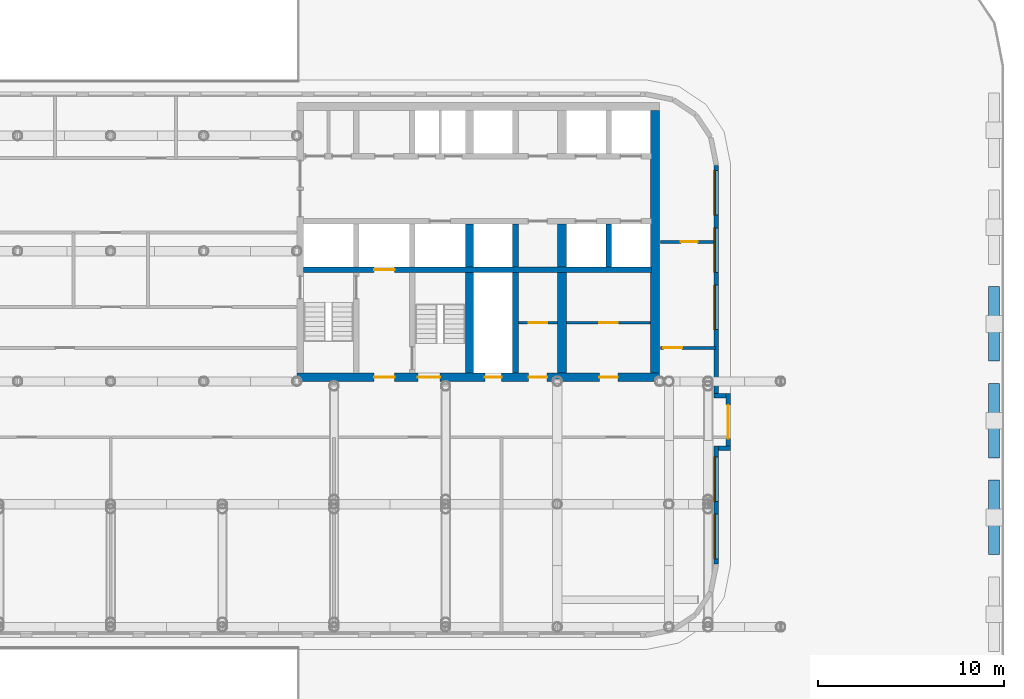
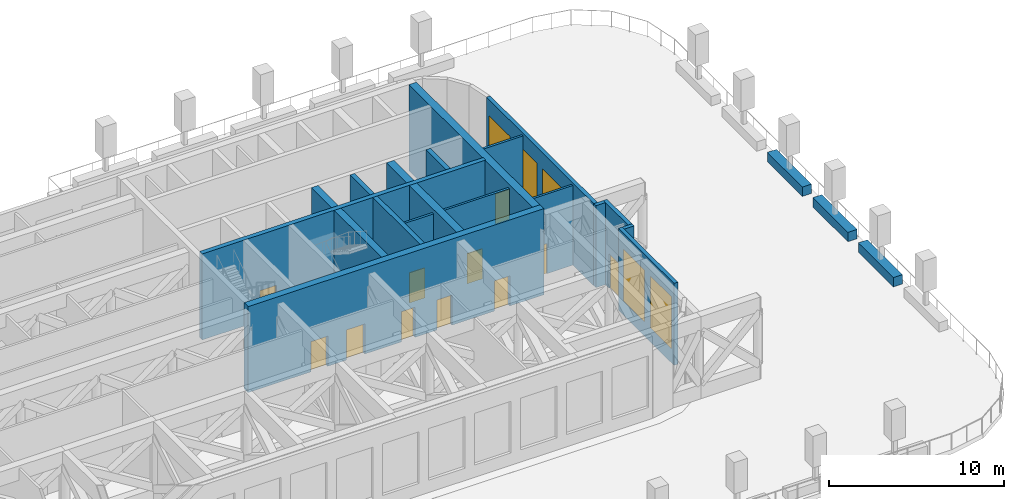
# One storey, part 14 of 20: 22 walls, 11 doors, 5 windows, 16 openings.
"""IFC4 building model written with IfcOpenShell, lengths in metres."""

from ifc_helpers import new_model, si_unit, direction, frame, frame_2d, origin, place, context, subcontext, project, spatial, rectangle, extrude, material, layer, layer_set, type_object, element, fill, save


model = new_model("IFC4")

# Units and contexts
model_context = context("Model", 3, precision=1e-05, world=origin(), true_north=direction((0.0, 1.0)))
body_context = subcontext(model_context, "Body", "Model", "MODEL_VIEW")
ifc_project = project(units=[si_unit("LENGTHUNIT", "METRE"), si_unit("AREAUNIT", "SQUARE_METRE"), si_unit("VOLUMEUNIT", "CUBIC_METRE"), si_unit("PLANEANGLEUNIT", "RADIAN"), si_unit("MASSUNIT", "GRAM", prefix="KILO")], contexts=[model_context])

# Site, building, storey
site_placement = place(None, origin())
site = spatial("IfcSite", under=ifc_project, at=site_placement, CompositionType="ELEMENT")
building_placement = place(site_placement, origin())
building = spatial("IfcBuilding", under=site, at=building_placement, Name="Torana Hotel and Residences", CompositionType="ELEMENT")
storey_placement = place(building_placement, frame((0.0, 0.0, 18.0)))
storey = spatial("IfcBuildingStorey", under=building, at=storey_placement, Name="L03", CompositionType="ELEMENT", Elevation=18.0)

# Wall, opening, door
ifc_material_1 = material(Name="Concrete C80/95", Category="concrete")
ifc_layer_1 = layer(ifc_material_1, 0.300048828125)
ifc_layer_set_1 = layer_set([ifc_layer_1], Name="CORE WALL 300 C80/95")
wall_type_1 = type_object("IfcWallType", Name="CORE WALL 300 C80/95", PredefinedType="SHEAR", material=ifc_layer_set_1)
wall_1_placement = place(storey_placement, frame((10.35009765625, -9.0, 0.0), z_axis=(0.0, 0.0, 1.0), x_axis=(1.0, 0.0, 0.0)))
wall_1 = element("IfcWall", 1, at=wall_1_placement, inside=storey, type_object=wall_type_1, Name="Core wall E band", PredefinedType="SHEAR", context=body_context, shape_type="SweptSolid", body=[
    extrude(rectangle(XDim=18.699951171875, YDim=0.300048828125, at=frame_2d((9.35009765625, 0.0))), origin(), (0.0, 0.0, 1.0), 6.0),
])
opening_1_placement = place(wall_1_placement, frame((3.800048828125, 0.0, 0.0)))
opening_1 = element("IfcOpeningElement", 2, at=opening_1_placement, cuts=wall_1, Name="Opening LD", PredefinedType="OPENING", context=body_context, shape_type="SweptSolid", body=[
    extrude(rectangle(XDim=1.10009765625, YDim=2.10009765625, at=frame_2d((0.550048828125, 1.050048828125))), frame((0.0, 0.159912109375, 0.0), z_axis=(0.0, -1.0, 0.0), x_axis=(1.0, 0.0, 0.0)), (0.0, 0.0, 1.0), 0.320068359375),
])
ifc_material_2 = material(Name="Stainless steel 316", Category="steel")
door_type_1 = type_object("IfcDoorType", Name="LIFT LANDING DOOR LD 1100x2100", OperationType="DOUBLE_DOOR_SLIDING", PredefinedType="USERDEFINED", material=ifc_material_2)
door_1_placement = place(opening_1_placement, origin())
door_1 = element("IfcDoor", 3, at=door_1_placement, inside=storey, type_object=door_type_1, Name="Lift landing door FF2 L03", ObjectType="LIFT LANDING DOOR", OperationType="DOUBLE_DOOR_SLIDING", OverallHeight=2.10009765625, OverallWidth=1.10009765625, PredefinedType="USERDEFINED", context=body_context, shape_type="SweptSolid", body=[
    extrude(rectangle(XDim=1.10009765625, YDim=2.10009765625, at=frame_2d((0.550048828125, 1.050048828125))), frame((0.0, 0.02490234375, 0.0), z_axis=(0.0, -1.0, 0.0), x_axis=(1.0, 0.0, 0.0)), (0.0, 0.0, 1.0), 0.050048828125),
])
fill(opening_1, door_1)

# Walls
wall_2_placement = place(storey_placement, frame((21.75, -8.85009765625, 0.0), z_axis=(0.0, 0.0, 1.0), x_axis=(0.0, 1.0, 0.0)))
element("IfcWall", 4, at=wall_2_placement, inside=storey, type_object=wall_type_1, Name="Core wall E mm-S", PredefinedType="SHEAR", context=body_context, shape_type="SweptSolid", body=[
    extrude(rectangle(XDim=2.300048828125, YDim=0.300048828125, at=frame_2d((1.14990234375, 0.0))), origin(), (0.0, 0.0, 1.0), 6.0),
])
wall_3_placement = place(storey_placement, frame((21.75, -14.550048828125, 0.0), z_axis=(0.0, 0.0, 1.0), x_axis=(0.0, 1.0, 0.0)))
element("IfcWall", 5, at=wall_3_placement, inside=storey, type_object=wall_type_1, Name="Core wall E mm-band", PredefinedType="SHEAR", context=body_context, shape_type="SweptSolid", body=[
    extrude(rectangle(XDim=5.400146484375, YDim=0.300048828125, at=frame_2d((2.7001953125, 0.0))), origin(), (0.0, 0.0, 1.0), 6.0),
])
wall_4_placement = place(storey_placement, frame((26.75, -8.85009765625, 0.0), z_axis=(0.0, 0.0, 1.0), x_axis=(0.0, 1.0, 0.0)))
element("IfcWall", 6, at=wall_4_placement, inside=storey, type_object=wall_type_1, Name="Core wall E ll-S", PredefinedType="SHEAR", context=body_context, shape_type="SweptSolid", body=[
    extrude(rectangle(XDim=2.300048828125, YDim=0.300048828125, at=frame_2d((1.14990234375, 0.0))), origin(), (0.0, 0.0, 1.0), 6.0),
])

# Wall, openings, doors
ifc_material_3 = material(Name="Concrete C80/95", Category="concrete")
ifc_layer_2 = layer(ifc_material_3, 0.449951171875)
ifc_layer_set_2 = layer_set([ifc_layer_2], Name="CORE WALL 450 C80/95")
wall_type_2 = type_object("IfcWallType", Name="CORE WALL 450 C80/95", PredefinedType="SHEAR", material=ifc_layer_set_2)
wall_5_placement = place(storey_placement, frame((10.0, -14.77490234375, 0.0), z_axis=(0.0, 0.0, 1.0), x_axis=(1.0, 0.0, 0.0)))
wall_5 = element("IfcWall", 7, at=wall_5_placement, inside=storey, type_object=wall_type_2, Name="Core wall E front", PredefinedType="SHEAR", context=body_context, shape_type="SweptSolid", body=[
    extrude(rectangle(XDim=19.5, YDim=0.449951171875, at=frame_2d((9.75, 0.0))), origin(), (0.0, 0.0, 1.0), 6.0),
])
opening_2_placement = place(wall_5_placement, frame((6.5, 0.0, 0.0)))
opening_2 = element("IfcOpeningElement", 8, at=opening_2_placement, cuts=wall_5, Name="Opening L03-21", PredefinedType="OPENING", context=body_context, shape_type="SweptSolid", body=[
    extrude(rectangle(XDim=1.199951171875, YDim=2.10009765625, at=frame_2d((0.60009765625, 1.050048828125))), frame((0.0, 0.23486328125, 0.0), z_axis=(0.0, -1.0, 0.0), x_axis=(1.0, 0.0, 0.0)), (0.0, 0.0, 1.0), 0.469970703125),
])
opening_3_placement = place(wall_5_placement, frame((4.14990234375, 0.0, 0.0)))
opening_3 = element("IfcOpeningElement", 9, at=opening_3_placement, cuts=wall_5, Name="Opening L03-22", PredefinedType="OPENING", context=body_context, shape_type="SweptSolid", body=[
    extrude(rectangle(XDim=1.10009765625, YDim=2.10009765625, at=frame_2d((0.550048828125, 1.050048828125))), frame((0.0, 0.23486328125, 0.0), z_axis=(0.0, -1.0, 0.0), x_axis=(1.0, 0.0, 0.0)), (0.0, 0.0, 1.0), 0.469970703125),
])
opening_4_placement = place(wall_5_placement, frame((10.10009765625, 0.0, 0.0)))
opening_4 = element("IfcOpeningElement", 10, at=opening_4_placement, cuts=wall_5, Name="Opening L03-23", PredefinedType="OPENING", context=body_context, shape_type="SweptSolid", body=[
    extrude(rectangle(XDim=0.89990234375, YDim=2.10009765625, at=frame_2d((0.449951171875, 1.050048828125))), frame((0.0, 0.23486328125, 0.0), z_axis=(0.0, -1.0, 0.0), x_axis=(1.0, 0.0, 0.0)), (0.0, 0.0, 1.0), 0.469970703125),
])
opening_5_placement = place(wall_5_placement, frame((12.449951171875, 0.0, 0.0)))
opening_5 = element("IfcOpeningElement", 11, at=opening_5_placement, cuts=wall_5, Name="Opening L03-24", PredefinedType="OPENING", context=body_context, shape_type="SweptSolid", body=[
    extrude(rectangle(XDim=1.0, YDim=2.10009765625, at=frame_2d((0.5, 1.050048828125))), frame((0.0, 0.23486328125, 0.0), z_axis=(0.0, -1.0, 0.0), x_axis=(1.0, 0.0, 0.0)), (0.0, 0.0, 1.0), 0.469970703125),
])
opening_6_placement = place(wall_5_placement, frame((16.25, 0.0, 0.0)))
opening_6 = element("IfcOpeningElement", 12, at=opening_6_placement, cuts=wall_5, Name="Opening L03-25", PredefinedType="OPENING", context=body_context, shape_type="SweptSolid", body=[
    extrude(rectangle(XDim=1.0, YDim=2.10009765625, at=frame_2d((0.5, 1.050048828125))), frame((0.0, 0.23486328125, 0.0), z_axis=(0.0, -1.0, 0.0), x_axis=(1.0, 0.0, 0.0)), (0.0, 0.0, 1.0), 0.469970703125),
])
ifc_material_4 = material(Name="Steel S235", Category="steel")
door_type_2 = type_object("IfcDoorType", Name="CORE ROOM FIRE DOOR D14 1000x2100", OperationType="SINGLE_SWING_LEFT", PredefinedType="DOOR", material=ifc_material_4)
door_2_placement = place(opening_5_placement, origin())
door_2 = element("IfcDoor", 13, at=door_2_placement, inside=storey, type_object=door_type_2, Name="M-Room-B door L03", OperationType="SINGLE_SWING_RIGHT", OverallHeight=2.10009765625, OverallWidth=1.0, PredefinedType="DOOR", context=body_context, shape_type="SweptSolid", body=[
    extrude(rectangle(XDim=1.0, YDim=2.10009765625, at=frame_2d((0.5, 1.050048828125))), frame((0.0, 0.02490234375, 0.0), z_axis=(0.0, -1.0, 0.0), x_axis=(1.0, 0.0, 0.0)), (0.0, 0.0, 1.0), 0.050048828125),
])
fill(opening_5, door_2)
door_3_placement = place(opening_6_placement, origin())
door_3 = element("IfcDoor", 14, at=door_3_placement, inside=storey, type_object=door_type_2, Name="L-B door L03", OperationType="SINGLE_SWING_RIGHT", OverallHeight=2.10009765625, OverallWidth=1.0, PredefinedType="DOOR", context=body_context, shape_type="SweptSolid", body=[
    extrude(rectangle(XDim=1.0, YDim=2.10009765625, at=frame_2d((0.5, 1.050048828125))), frame((0.0, 0.02490234375, 0.0), z_axis=(0.0, -1.0, 0.0), x_axis=(1.0, 0.0, 0.0)), (0.0, 0.0, 1.0), 0.050048828125),
])
fill(opening_6, door_3)
ifc_material_5 = material(Name="Steel S235", Category="steel")
door_type_3 = type_object("IfcDoorType", Name="FIRE-FIGHTING LOBBY DOOR D8 1100x2100", OperationType="SINGLE_SWING_LEFT", PredefinedType="DOOR", material=ifc_material_5)
door_4_placement = place(opening_3_placement, origin())
door_4 = element("IfcDoor", 15, at=door_4_placement, inside=storey, type_object=door_type_3, Name="FF-lobby door L03", OperationType="SINGLE_SWING_RIGHT", OverallHeight=2.10009765625, OverallWidth=1.10009765625, PredefinedType="DOOR", context=body_context, shape_type="SweptSolid", body=[
    extrude(rectangle(XDim=1.10009765625, YDim=2.10009765625, at=frame_2d((0.550048828125, 1.050048828125))), frame((0.0, 0.02490234375, 0.0), z_axis=(0.0, -1.0, 0.0), x_axis=(1.0, 0.0, 0.0)), (0.0, 0.0, 1.0), 0.050048828125),
])
fill(opening_3, door_4)
ifc_material_6 = material(Name="Steel S235", Category="steel")
door_type_4 = type_object("IfcDoorType", Name="RISER ACCESS DOOR D5 900x2100", OperationType="SINGLE_SWING_LEFT", PredefinedType="DOOR", material=ifc_material_6)
door_5_placement = place(opening_4_placement, origin())
door_5 = element("IfcDoor", 16, at=door_5_placement, inside=storey, type_object=door_type_4, Name="M-Riser door L03", OperationType="SINGLE_SWING_RIGHT", OverallHeight=2.10009765625, OverallWidth=0.89990234375, PredefinedType="DOOR", context=body_context, shape_type="SweptSolid", body=[
    extrude(rectangle(XDim=0.89990234375, YDim=2.10009765625, at=frame_2d((0.449951171875, 1.050048828125))), frame((0.0, 0.02490234375, 0.0), z_axis=(0.0, -1.0, 0.0), x_axis=(1.0, 0.0, 0.0)), (0.0, 0.0, 1.0), 0.050048828125),
])
fill(opening_4, door_5)
ifc_material_7 = material(Name="Steel S235", Category="steel")
door_type_5 = type_object("IfcDoorType", Name="STAIR FIRE DOOR D3 1200x2100", OperationType="SINGLE_SWING_LEFT", PredefinedType="DOOR", material=ifc_material_7)
door_6_placement = place(opening_2_placement, origin())
door_6 = element("IfcDoor", 17, at=door_6_placement, inside=storey, type_object=door_type_5, Name="Stair-B door L03", OperationType="SINGLE_SWING_RIGHT", OverallHeight=2.10009765625, OverallWidth=1.199951171875, PredefinedType="DOOR", context=body_context, shape_type="SweptSolid", body=[
    extrude(rectangle(XDim=1.199951171875, YDim=2.10009765625, at=frame_2d((0.60009765625, 1.050048828125))), frame((0.0, 0.02490234375, 0.0), z_axis=(0.0, -1.0, 0.0), x_axis=(1.0, 0.0, 0.0)), (0.0, 0.0, 1.0), 0.050048828125),
])
fill(opening_2, door_6)

# Walls
wall_6_placement = place(storey_placement, frame((19.27490234375, -8.85009765625, 0.0), z_axis=(0.0, 0.0, 1.0), x_axis=(0.0, 1.0, 0.0)))
element("IfcWall", 18, at=wall_6_placement, inside=storey, type_object=wall_type_2, Name="Core wall E hm-S", PredefinedType="SHEAR", context=body_context, shape_type="SweptSolid", body=[
    extrude(rectangle(XDim=2.300048828125, YDim=0.449951171875, at=frame_2d((1.14990234375, 0.0))), origin(), (0.0, 0.0, 1.0), 6.0),
])
wall_7_placement = place(storey_placement, frame((19.27490234375, -14.550048828125, 0.0), z_axis=(0.0, 0.0, 1.0), x_axis=(0.0, 1.0, 0.0)))
element("IfcWall", 19, at=wall_7_placement, inside=storey, type_object=wall_type_2, Name="Core wall E hm-band", PredefinedType="SHEAR", context=body_context, shape_type="SweptSolid", body=[
    extrude(rectangle(XDim=5.400146484375, YDim=0.449951171875, at=frame_2d((2.7001953125, 0.0))), origin(), (0.0, 0.0, 1.0), 6.0),
])
ifc_material_8 = material(Name="Concrete C80/95", Category="concrete")
ifc_layer_3 = layer(ifc_material_8, 0.5)
ifc_layer_set_3 = layer_set([ifc_layer_3], Name="CORE WALL 500 C80/95")
wall_type_3 = type_object("IfcWallType", Name="CORE WALL 500 C80/95", PredefinedType="SHEAR", material=ifc_layer_set_3)
wall_8_placement = place(storey_placement, frame((29.25, -14.550048828125, 0.0), z_axis=(0.0, 0.0, 1.0), x_axis=(0.0, 1.0, 0.0)))
element("IfcWall", 20, at=wall_8_placement, inside=storey, type_object=wall_type_3, Name="Core wall E outer", PredefinedType="SHEAR", context=body_context, shape_type="SweptSolid", body=[
    extrude(rectangle(XDim=14.10009765625, YDim=0.5, at=frame_2d((7.050048828125, 0.0))), origin(), (0.0, 0.0, 1.0), 6.0),
])
wall_9_placement = place(storey_placement, frame((24.25, -8.85009765625, 0.0), z_axis=(0.0, 0.0, 1.0), x_axis=(0.0, 1.0, 0.0)))
element("IfcWall", 21, at=wall_9_placement, inside=storey, type_object=wall_type_3, Name="Core wall E ml-S", PredefinedType="SHEAR", context=body_context, shape_type="SweptSolid", body=[
    extrude(rectangle(XDim=2.300048828125, YDim=0.5, at=frame_2d((1.14990234375, 0.0))), origin(), (0.0, 0.0, 1.0), 6.0),
])
wall_10_placement = place(storey_placement, frame((24.25, -14.550048828125, 0.0), z_axis=(0.0, 0.0, 1.0), x_axis=(0.0, 1.0, 0.0)))
element("IfcWall", 22, at=wall_10_placement, inside=storey, type_object=wall_type_3, Name="Core wall E ml-band", PredefinedType="SHEAR", context=body_context, shape_type="SweptSolid", body=[
    extrude(rectangle(XDim=5.400146484375, YDim=0.5, at=frame_2d((2.7001953125, 0.0))), origin(), (0.0, 0.0, 1.0), 6.0),
])

# Wall, openings, windows
ifc_material_9 = material(Name="Aluminium louvre wall", Category="aluminium")
ifc_layer_4 = layer(ifc_material_9, 0.25)
ifc_layer_set_4 = layer_set([ifc_layer_4], Name="EW3 LOUVRE WALL 250")
wall_type_4 = type_object("IfcWallType", Name="EW3 LOUVRE WALL 250", PredefinedType="SOLIDWALL", material=ifc_layer_set_4)
wall_11_placement = place(storey_placement, frame((32.5390625, -24.812744140625, 0.0), z_axis=(0.0, 0.0, 1.0), x_axis=(0.0, 1.0, 0.0)))
wall_11 = element("IfcWall", 23, at=wall_11_placement, inside=storey, type_object=wall_type_4, Name="Louvre wall L03 e0.19a", PredefinedType="SOLIDWALL", context=body_context, shape_type="SweptSolid", body=[
    extrude(rectangle(XDim=6.3447265625, YDim=0.25, at=frame_2d((3.17236328125, 0.0))), origin(), (0.0, 0.0, 1.0), 5.719970703125),
])
opening_7_placement = place(wall_11_placement, frame((0.276611328125, 0.0, 1.0048828125)))
opening_7 = element("IfcOpeningElement", 24, at=opening_7_placement, cuts=wall_11, Name="Opening LV2", PredefinedType="OPENING", context=body_context, shape_type="SweptSolid", body=[
    extrude(rectangle(XDim=2.39990234375, YDim=3.60009765625, at=frame_2d((1.199951171875, 1.800048828125))), frame((0.0, 0.135009765625, 0.0), z_axis=(0.0, -1.0, 0.0), x_axis=(1.0, 0.0, 0.0)), (0.0, 0.0, 1.0), 0.27001953125),
])
opening_8_placement = place(wall_11_placement, frame((3.35546875, 0.0, 1.0048828125)))
opening_8 = element("IfcOpeningElement", 25, at=opening_8_placement, cuts=wall_11, Name="Opening LV2", PredefinedType="OPENING", context=body_context, shape_type="SweptSolid", body=[
    extrude(rectangle(XDim=2.39990234375, YDim=3.60009765625, at=frame_2d((1.199951171875, 1.800048828125))), frame((0.0, 0.135009765625, 0.0), z_axis=(0.0, -1.0, 0.0), x_axis=(1.0, 0.0, 0.0)), (0.0, 0.0, 1.0), 0.27001953125),
])
ifc_material_10 = material(Name="Aluminium louvre blades", Category="aluminium")
window_type = type_object("IfcWindowType", Name="LV2 LOUVRE 2400x3600", PartitioningType="SINGLE_PANEL", PredefinedType="USERDEFINED", material=ifc_material_10)
window_1_placement = place(opening_7_placement, origin())
window_1 = element("IfcWindow", 26, at=window_1_placement, inside=storey, type_object=window_type, Name="Louvre L03", ObjectType="LOUVRE", OverallHeight=3.60009765625, OverallWidth=2.39990234375, PartitioningType="SINGLE_PANEL", PredefinedType="USERDEFINED", context=body_context, shape_type="SweptSolid", body=[
    extrude(rectangle(XDim=2.39990234375, YDim=3.60009765625, at=frame_2d((1.199951171875, 1.800048828125))), frame((0.0, 0.125, 0.0), z_axis=(0.0, -1.0, 0.0), x_axis=(1.0, 0.0, 0.0)), (0.0, 0.0, 1.0), 0.06005859375),
])
fill(opening_7, window_1)
window_2_placement = place(opening_8_placement, origin())
window_2 = element("IfcWindow", 27, at=window_2_placement, inside=storey, type_object=window_type, Name="Louvre L03", ObjectType="LOUVRE", OverallHeight=3.60009765625, OverallWidth=2.39990234375, PartitioningType="SINGLE_PANEL", PredefinedType="USERDEFINED", context=body_context, shape_type="SweptSolid", body=[
    extrude(rectangle(XDim=2.39990234375, YDim=3.60009765625, at=frame_2d((1.199951171875, 1.800048828125))), frame((0.0, 0.125, 0.0), z_axis=(0.0, -1.0, 0.0), x_axis=(1.0, 0.0, 0.0)), (0.0, 0.0, 1.0), 0.06005859375),
])
fill(opening_8, window_2)

# Wall
wall_12_placement = place(storey_placement, frame((32.6640625, -18.593017578125, 0.0), z_axis=(0.0, 0.0, 1.0), x_axis=(1.0, 0.0, 0.0)))
element("IfcWall", 28, at=wall_12_placement, inside=storey, type_object=wall_type_4, Name="Louvre wall L03 e0.19r1", PredefinedType="SOLIDWALL", context=body_context, shape_type="SweptSolid", body=[
    extrude(rectangle(XDim=0.635986328125, YDim=0.25, at=frame_2d((0.31787109375, 0.0))), origin(), (0.0, 0.0, 1.0), 5.719970703125),
])

# Wall, opening, door
wall_13_placement = place(storey_placement, frame((33.175048828125, -18.468017578125, 0.0), z_axis=(0.0, 0.0, 1.0), x_axis=(0.0, 1.0, 0.0)))
wall_13 = element("IfcWall", 29, at=wall_13_placement, inside=storey, type_object=wall_type_4, Name="Louvre wall L03 e0.19b", PredefinedType="SOLIDWALL", context=body_context, shape_type="SweptSolid", body=[
    extrude(rectangle(XDim=2.82861328125, YDim=0.25, at=frame_2d((1.414306640625, 0.0))), origin(), (0.0, 0.0, 1.0), 5.719970703125),
])
opening_9_placement = place(wall_13_placement, frame((0.389404296875, 0.0, 0.0)))
opening_9 = element("IfcOpeningElement", 30, at=opening_9_placement, cuts=wall_13, Name="Opening L03-E02", PredefinedType="OPENING", context=body_context, shape_type="SweptSolid", body=[
    extrude(rectangle(XDim=1.800048828125, YDim=2.39990234375, at=frame_2d((0.89990234375, 1.199951171875))), frame((0.0, 0.135009765625, 0.0), z_axis=(0.0, -1.0, 0.0), x_axis=(1.0, 0.0, 0.0)), (0.0, 0.0, 1.0), 0.27001953125),
])
ifc_material_11 = material(Name="Dark glass in black aluminium frame", Category="aluminium")
door_type_6 = type_object("IfcDoorType", Name="DE2 TERRACE DOOR 1800x2400", OperationType="DOUBLE_DOOR_SINGLE_SWING", PredefinedType="DOOR", material=ifc_material_11)
door_7_placement = place(opening_9_placement, origin())
door_7 = element("IfcDoor", 31, at=door_7_placement, inside=storey, type_object=door_type_6, Name="Terrace door L03", OperationType="DOUBLE_DOOR_SINGLE_SWING", OverallHeight=2.39990234375, OverallWidth=1.800048828125, PredefinedType="DOOR", context=body_context, shape_type="SweptSolid", body=[
    extrude(rectangle(XDim=1.800048828125, YDim=2.39990234375, at=frame_2d((0.89990234375, 1.199951171875))), frame((0.0, 0.02490234375, 0.0), z_axis=(0.0, -1.0, 0.0), x_axis=(1.0, 0.0, 0.0)), (0.0, 0.0, 1.0), 0.050048828125),
])
fill(opening_9, door_7)

# Wall
wall_14_placement = place(storey_placement, frame((33.050048828125, -15.764404296875, 0.0), z_axis=(0.0, 0.0, 1.0), x_axis=(-1.0, 0.0, 0.0)))
element("IfcWall", 32, at=wall_14_placement, inside=storey, type_object=wall_type_4, Name="Louvre wall L03 e0.19r2", PredefinedType="SOLIDWALL", context=body_context, shape_type="SweptSolid", body=[
    extrude(rectangle(XDim=0.635986328125, YDim=0.25, at=frame_2d((0.31787109375, 0.0))), origin(), (0.0, 0.0, 1.0), 5.719970703125),
])

# Wall, openings, windows
wall_15_placement = place(storey_placement, frame((32.5390625, -15.639404296875, 0.0), z_axis=(0.0, 0.0, 1.0), x_axis=(0.0, 1.0, 0.0)))
wall_15 = element("IfcWall", 33, at=wall_15_placement, inside=storey, type_object=wall_type_4, Name="Louvre wall L03 e0.19c", PredefinedType="SOLIDWALL", context=body_context, shape_type="SweptSolid", body=[
    extrude(rectangle(XDim=12.252197265625, YDim=0.25, at=frame_2d((6.1259765625, 0.0))), origin(), (0.0, 0.0, 1.0), 5.719970703125),
])
opening_10_placement = place(wall_15_placement, frame((3.41796875, 0.0, 1.0048828125)))
opening_10 = element("IfcOpeningElement", 34, at=opening_10_placement, cuts=wall_15, Name="Opening LV2", PredefinedType="OPENING", context=body_context, shape_type="SweptSolid", body=[
    extrude(rectangle(XDim=2.39990234375, YDim=3.60009765625, at=frame_2d((1.199951171875, 1.800048828125))), frame((0.0, 0.135009765625, 0.0), z_axis=(0.0, -1.0, 0.0), x_axis=(1.0, 0.0, 0.0)), (0.0, 0.0, 1.0), 0.27001953125),
])
opening_11_placement = place(wall_15_placement, frame((6.49658203125, 0.0, 1.0048828125)))
opening_11 = element("IfcOpeningElement", 35, at=opening_11_placement, cuts=wall_15, Name="Opening LV2", PredefinedType="OPENING", context=body_context, shape_type="SweptSolid", body=[
    extrude(rectangle(XDim=2.39990234375, YDim=3.60009765625, at=frame_2d((1.199951171875, 1.800048828125))), frame((0.0, 0.135009765625, 0.0), z_axis=(0.0, -1.0, 0.0), x_axis=(1.0, 0.0, 0.0)), (0.0, 0.0, 1.0), 0.27001953125),
])
opening_12_placement = place(wall_15_placement, frame((9.575439453125, 0.0, 1.0048828125)))
opening_12 = element("IfcOpeningElement", 36, at=opening_12_placement, cuts=wall_15, Name="Opening LV2", PredefinedType="OPENING", context=body_context, shape_type="SweptSolid", body=[
    extrude(rectangle(XDim=2.39990234375, YDim=3.60009765625, at=frame_2d((1.199951171875, 1.800048828125))), frame((0.0, 0.135009765625, 0.0), z_axis=(0.0, -1.0, 0.0), x_axis=(1.0, 0.0, 0.0)), (0.0, 0.0, 1.0), 0.27001953125),
])
window_3_placement = place(opening_10_placement, origin())
window_3 = element("IfcWindow", 37, at=window_3_placement, inside=storey, type_object=window_type, Name="Louvre L03", ObjectType="LOUVRE", OverallHeight=3.60009765625, OverallWidth=2.39990234375, PartitioningType="SINGLE_PANEL", PredefinedType="USERDEFINED", context=body_context, shape_type="SweptSolid", body=[
    extrude(rectangle(XDim=2.39990234375, YDim=3.60009765625, at=frame_2d((1.199951171875, 1.800048828125))), frame((0.0, 0.125, 0.0), z_axis=(0.0, -1.0, 0.0), x_axis=(1.0, 0.0, 0.0)), (0.0, 0.0, 1.0), 0.06005859375),
])
fill(opening_10, window_3)
window_4_placement = place(opening_11_placement, origin())
window_4 = element("IfcWindow", 38, at=window_4_placement, inside=storey, type_object=window_type, Name="Louvre L03", ObjectType="LOUVRE", OverallHeight=3.60009765625, OverallWidth=2.39990234375, PartitioningType="SINGLE_PANEL", PredefinedType="USERDEFINED", context=body_context, shape_type="SweptSolid", body=[
    extrude(rectangle(XDim=2.39990234375, YDim=3.60009765625, at=frame_2d((1.199951171875, 1.800048828125))), frame((0.0, 0.125, 0.0), z_axis=(0.0, -1.0, 0.0), x_axis=(1.0, 0.0, 0.0)), (0.0, 0.0, 1.0), 0.06005859375),
])
fill(opening_11, window_4)
window_5_placement = place(opening_12_placement, origin())
window_5 = element("IfcWindow", 39, at=window_5_placement, inside=storey, type_object=window_type, Name="Louvre L03", ObjectType="LOUVRE", OverallHeight=3.60009765625, OverallWidth=2.39990234375, PartitioningType="SINGLE_PANEL", PredefinedType="USERDEFINED", context=body_context, shape_type="SweptSolid", body=[
    extrude(rectangle(XDim=2.39990234375, YDim=3.60009765625, at=frame_2d((1.199951171875, 1.800048828125))), frame((0.0, 0.125, 0.0), z_axis=(0.0, -1.0, 0.0), x_axis=(1.0, 0.0, 0.0)), (0.0, 0.0, 1.0), 0.06005859375),
])
fill(opening_12, window_5)

# Wall, opening, door
ifc_material_12 = material(Name="Gypsum plaster")
ifc_layer_5 = layer(ifc_material_12, 0.014892578125, Name="Plaster", Category="finish")
ifc_material_13 = material(Name="Concrete blockwork", Category="masonry")
ifc_layer_6 = layer(ifc_material_13, 0.1201171875, Name="Blockwork", Category="structure")
ifc_layer_7 = layer(ifc_material_12, 0.014892578125, Name="Plaster", Category="finish")
ifc_layer_set_5 = layer_set([ifc_layer_5, ifc_layer_6, ifc_layer_7], Name="FIRE PARTITION 150 BLOCKWORK")
wall_type_5 = type_object("IfcWallType", Name="FIRE PARTITION 150 BLOCKWORK", PredefinedType="PARTITIONING", material=ifc_layer_set_5)
wall_16_placement = place(storey_placement, frame((21.89990234375, -11.85009765625, 0.0), z_axis=(0.0, 0.0, 1.0), x_axis=(1.0, 0.0, 0.0)))
wall_16 = element("IfcWall", 40, at=wall_16_placement, inside=storey, type_object=wall_type_5, Name="Core partition L03", PredefinedType="PARTITIONING", context=body_context, shape_type="SweptSolid", body=[
    extrude(rectangle(XDim=2.10009765625, YDim=0.14990234375, at=frame_2d((1.050048828125, 0.0))), origin(), (0.0, 0.0, 1.0), 5.699951171875),
])
opening_13_placement = place(wall_16_placement, frame((0.550048828125, 0.0, 0.0)))
opening_13 = element("IfcOpeningElement", 41, at=opening_13_placement, cuts=wall_16, Name="Opening L03-37", PredefinedType="OPENING", context=body_context, shape_type="SweptSolid", body=[
    extrude(rectangle(XDim=1.0, YDim=2.10009765625, at=frame_2d((0.5, 1.050048828125))), frame((0.0, 0.0849609375, 0.0), z_axis=(0.0, -1.0, 0.0), x_axis=(1.0, 0.0, 0.0)), (0.0, 0.0, 1.0), 0.169921875),
])
door_8_placement = place(opening_13_placement, origin())
door_8 = element("IfcDoor", 42, at=door_8_placement, inside=storey, type_object=door_type_2, Name="Plant room door L03", OperationType="SINGLE_SWING_RIGHT", OverallHeight=2.10009765625, OverallWidth=1.0, PredefinedType="DOOR", context=body_context, shape_type="SweptSolid", body=[
    extrude(rectangle(XDim=1.0, YDim=2.10009765625, at=frame_2d((0.5, 1.050048828125))), frame((0.0, 0.02490234375, 0.0), z_axis=(0.0, -1.0, 0.0), x_axis=(1.0, 0.0, 0.0)), (0.0, 0.0, 1.0), 0.050048828125),
])
fill(opening_13, door_8)

wall_17_placement = place(storey_placement, frame((24.5, -11.85009765625, 0.0), z_axis=(0.0, 0.0, 1.0), x_axis=(1.0, 0.0, 0.0)))
wall_17 = element("IfcWall", 43, at=wall_17_placement, inside=storey, type_object=wall_type_5, Name="Core partition L03", PredefinedType="PARTITIONING", context=body_context, shape_type="SweptSolid", body=[
    extrude(rectangle(XDim=4.5, YDim=0.14990234375, at=frame_2d((2.25, 0.0))), origin(), (0.0, 0.0, 1.0), 5.699951171875),
])
opening_14_placement = place(wall_17_placement, frame((1.75, 0.0, 0.0)))
opening_14 = element("IfcOpeningElement", 44, at=opening_14_placement, cuts=wall_17, Name="Opening L03-38", PredefinedType="OPENING", context=body_context, shape_type="SweptSolid", body=[
    extrude(rectangle(XDim=1.0, YDim=2.10009765625, at=frame_2d((0.5, 1.050048828125))), frame((0.0, 0.0849609375, 0.0), z_axis=(0.0, -1.0, 0.0), x_axis=(1.0, 0.0, 0.0)), (0.0, 0.0, 1.0), 0.169921875),
])
door_9_placement = place(opening_14_placement, origin())
door_9 = element("IfcDoor", 45, at=door_9_placement, inside=storey, type_object=door_type_2, Name="Plant room door L03", OperationType="SINGLE_SWING_RIGHT", OverallHeight=2.10009765625, OverallWidth=1.0, PredefinedType="DOOR", context=body_context, shape_type="SweptSolid", body=[
    extrude(rectangle(XDim=1.0, YDim=2.10009765625, at=frame_2d((0.5, 1.050048828125))), frame((0.0, 0.02490234375, 0.0), z_axis=(0.0, -1.0, 0.0), x_axis=(1.0, 0.0, 0.0)), (0.0, 0.0, 1.0), 0.050048828125),
])
fill(opening_14, door_9)

wall_18_placement = place(storey_placement, frame((29.550048828125, -13.199951171875, 0.0), z_axis=(0.0, 0.0, 1.0), x_axis=(1.0, 0.0, 0.0)))
wall_18 = element("IfcWall", 46, at=wall_18_placement, inside=storey, type_object=wall_type_5, Name="Partition L03", PredefinedType="PARTITIONING", context=body_context, shape_type="SweptSolid", body=[
    extrude(rectangle(XDim=2.933837890625, YDim=0.14990234375, at=frame_2d((1.466796875, 0.0))), origin(), (0.0, 0.0, 1.0), 5.550048828125),
])
opening_15_placement = place(wall_18_placement, frame((0.14990234375, 0.0, 0.0)))
opening_15 = element("IfcOpeningElement", 47, at=opening_15_placement, cuts=wall_18, Name="Opening L03-47", PredefinedType="OPENING", context=body_context, shape_type="SweptSolid", body=[
    extrude(rectangle(XDim=1.0, YDim=2.10009765625, at=frame_2d((0.5, 1.050048828125))), frame((0.0, 0.0849609375, 0.0), z_axis=(0.0, -1.0, 0.0), x_axis=(1.0, 0.0, 0.0)), (0.0, 0.0, 1.0), 0.169921875),
])
door_10_placement = place(opening_15_placement, origin())
door_10 = element("IfcDoor", 48, at=door_10_placement, inside=storey, type_object=door_type_2, Name="Door L03", OperationType="SINGLE_SWING_RIGHT", OverallHeight=2.10009765625, OverallWidth=1.0, PredefinedType="DOOR", context=body_context, shape_type="SweptSolid", body=[
    extrude(rectangle(XDim=1.0, YDim=2.10009765625, at=frame_2d((0.5, 1.050048828125))), frame((0.0, 0.02490234375, 0.0), z_axis=(0.0, -1.0, 0.0), x_axis=(1.0, 0.0, 0.0)), (0.0, 0.0, 1.0), 0.050048828125),
])
fill(opening_15, door_10)

ifc_material_14 = material(Name="Gypsum plasterboard")
ifc_layer_8 = layer(ifc_material_14, 0.012451171875, Name="Plasterboard", Category="finish")
ifc_layer_9 = layer(ifc_material_14, 0.012451171875, Name="Plasterboard", Category="finish")
ifc_material_15 = material(Name="Steel S280GD", Category="steel")
ifc_layer_10 = layer(ifc_material_15, 0.10009765625, Name="Steel studs with mineral wool", Category="insulation")
ifc_layer_11 = layer(ifc_material_14, 0.012451171875, Name="Plasterboard", Category="finish")
ifc_layer_12 = layer(ifc_material_14, 0.012451171875, Name="Plasterboard", Category="finish")
ifc_layer_set_6 = layer_set([ifc_layer_8, ifc_layer_9, ifc_layer_10, ifc_layer_11, ifc_layer_12], Name="PARTITION 150 PLASTERBOARD")
wall_type_6 = type_object("IfcWallType", Name="PARTITION 150 PLASTERBOARD", PredefinedType="PARTITIONING", material=ifc_layer_set_6)
wall_19_placement = place(storey_placement, frame((29.550048828125, -7.5, 0.0), z_axis=(0.0, 0.0, 1.0), x_axis=(1.0, 0.0, 0.0)))
wall_19 = element("IfcWall", 49, at=wall_19_placement, inside=storey, type_object=wall_type_6, Name="Partition L03", PredefinedType="PARTITIONING", context=body_context, shape_type="SweptSolid", body=[
    extrude(rectangle(XDim=2.862548828125, YDim=0.14990234375, at=frame_2d((1.43115234375, 0.0))), origin(), (0.0, 0.0, 1.0), 5.550048828125),
])
opening_16_placement = place(wall_19_placement, frame((1.08203125, 0.0, 0.0)))
opening_16 = element("IfcOpeningElement", 50, at=opening_16_placement, cuts=wall_19, Name="Opening L03-56", PredefinedType="OPENING", context=body_context, shape_type="SweptSolid", body=[
    extrude(rectangle(XDim=0.89990234375, YDim=2.10009765625, at=frame_2d((0.449951171875, 1.050048828125))), frame((0.0, 0.0849609375, 0.0), z_axis=(0.0, -1.0, 0.0), x_axis=(1.0, 0.0, 0.0)), (0.0, 0.0, 1.0), 0.169921875),
])
ifc_material_16 = material(Name="Timber door, oiled ash", Category="wood")
door_type_7 = type_object("IfcDoorType", Name="ROOM DOOR D7 900x2100", OperationType="SINGLE_SWING_LEFT", PredefinedType="DOOR", material=ifc_material_16)
door_11_placement = place(opening_16_placement, origin())
door_11 = element("IfcDoor", 51, at=door_11_placement, inside=storey, type_object=door_type_7, Name="Door L03", OperationType="SINGLE_SWING_LEFT", OverallHeight=2.10009765625, OverallWidth=0.89990234375, PredefinedType="DOOR", context=body_context, shape_type="SweptSolid", body=[
    extrude(rectangle(XDim=0.89990234375, YDim=2.10009765625, at=frame_2d((0.449951171875, 1.050048828125))), frame((0.0, 0.02490234375, 0.0), z_axis=(0.0, -1.0, 0.0), x_axis=(1.0, 0.0, 0.0)), (0.0, 0.0, 1.0), 0.050048828125),
])
fill(opening_16, door_11)

# Walls
ifc_material_17 = material(Name="Concrete C40/50 precast", Category="concrete")
ifc_layer_13 = layer(ifc_material_17, 0.10009765625, Name="Planter shell", Category="structure")
ifc_material_18 = material(Name="Root resistant membrane")
ifc_layer_14 = layer(ifc_material_18, 0.00390625, Name="Waterproofing membrane", Category="membrane")
ifc_material_19 = material(Name="Drainage board with filter fleece")
ifc_layer_15 = layer(ifc_material_19, 0.02001953125, Name="Drainage board", Category="drainage")
ifc_material_20 = material(Name="Growing medium")
ifc_layer_16 = layer(ifc_material_20, 0.47607421875, Name="Planting substrate", Category="soil")
ifc_layer_set_7 = layer_set([ifc_layer_13, ifc_layer_14, ifc_layer_15, ifc_layer_16], Name="PL1 BALCONY PLANTER 600")
wall_type_7 = type_object("IfcWallType", Name="PL1 BALCONY PLANTER 600", PredefinedType="USERDEFINED", material=ifc_layer_set_7)
for number, where, z_axis, x_axis, name in (
    (52, (47.469970703125, -9.907958984375, 0.0), (0.0, 0.0, 1.0), (0.0, -1.0, 0.0), "Planter L03 2.8"),
    (53, (47.469970703125, -15.10791015625, 0.0), (0.0, 0.0, 1.0), (0.0, -1.0, 0.0), "Planter L03 2.9"),
    (54, (47.469970703125, -20.307861328125, 0.0), (0.0, 0.0, 1.0), (0.0, -1.0, 0.0), "Planter L03 2.10"),
):
    element("IfcWall", number, at=place(storey_placement, frame(where, z_axis=z_axis, x_axis=x_axis)), inside=storey, type_object=wall_type_7, Name=name, ObjectType="PLANTER", PredefinedType="USERDEFINED", context=body_context, shape_type="SweptSolid", body=[
        extrude(rectangle(XDim=4.0, YDim=0.60009765625, at=frame_2d((2.0, 0.0))), origin(), (0.0, 0.0, 1.0), 0.64990234375),
    ])

save(model, "model.ifc")
